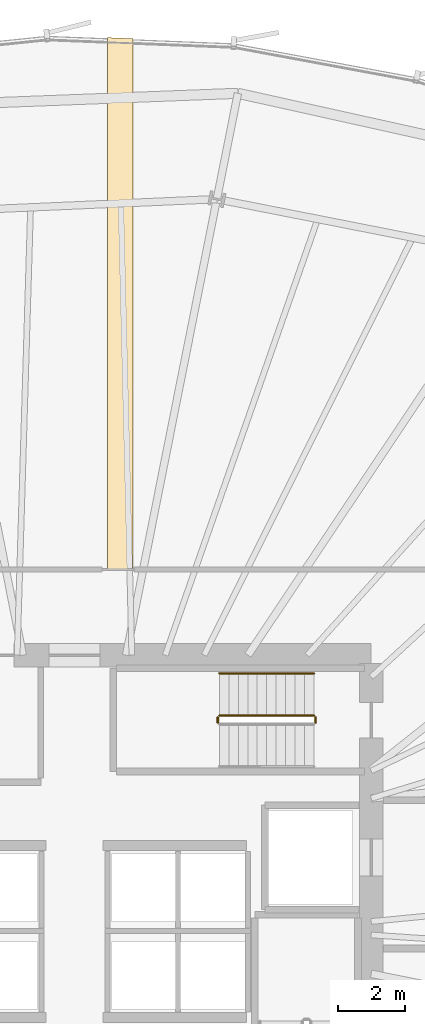
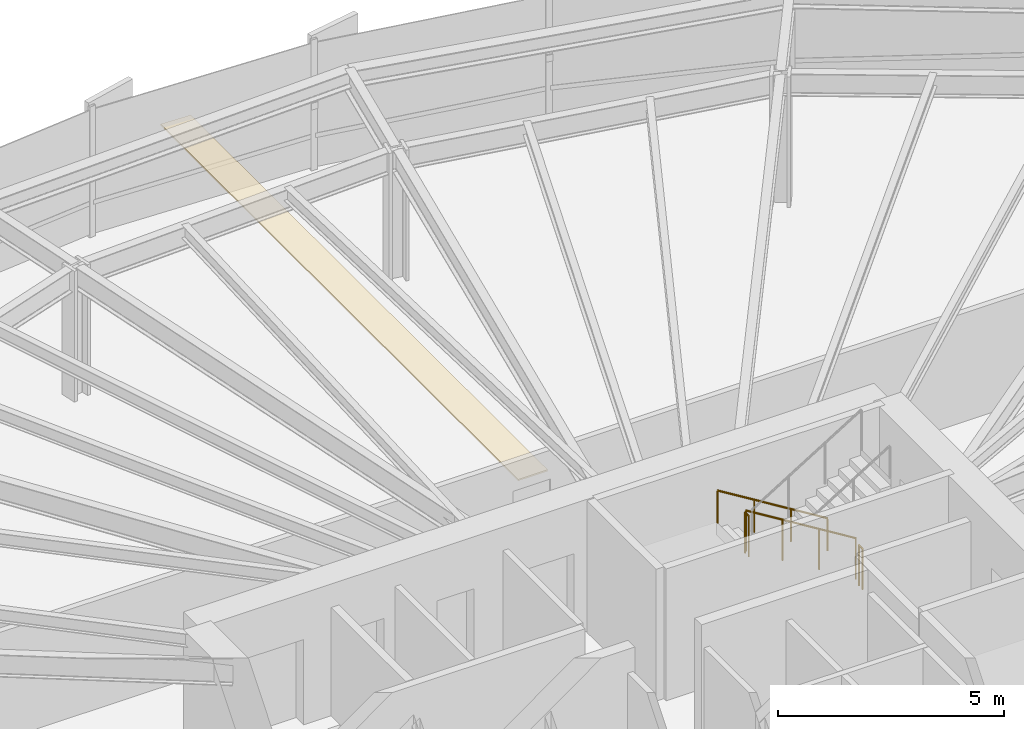
# One storey, part 41 of 42: 4 railings, 1 covering.
"""IFC4 building model written with IfcOpenShell, lengths in metres."""

from ifc_helpers import new_model, si_unit, direction, frame, origin, origin_2d, place, context, subcontext, project, spatial, polyline, circle, outline, extrude, material, layer, layer_set, type_object, element, save


model = new_model("IFC4")

# Units and contexts
model_context = context("Model", 3, precision=1e-05, world=origin(), true_north=direction((0.0, 1.0)))
body_context = subcontext(model_context, "Body", "Model", "MODEL_VIEW")
ifc_project = project(units=[si_unit("LENGTHUNIT", "METRE"), si_unit("AREAUNIT", "SQUARE_METRE"), si_unit("VOLUMEUNIT", "CUBIC_METRE"), si_unit("PLANEANGLEUNIT", "RADIAN"), si_unit("MASSUNIT", "GRAM", prefix="KILO"), si_unit("THERMODYNAMICTEMPERATUREUNIT", "KELVIN")], contexts=[model_context])

# Site, building, storey
site_placement = place(None, origin())
site = spatial("IfcSite", under=ifc_project, at=site_placement, CompositionType="ELEMENT")
building_placement = place(site_placement, origin())
building = spatial("IfcBuilding", under=site, at=building_placement, Name="Kethvar Cultural Tower", CompositionType="ELEMENT")
storey_placement = place(building_placement, frame((0.0, 0.0, 37.199951171875)))
storey = spatial("IfcBuildingStorey", under=building, at=storey_placement, Name="L08", CompositionType="ELEMENT", Elevation=37.199951171875)

# Covering
ifc_material_1 = material(Name="Acoustic Mineral Fibre Ceiling")
ifc_layer = layer(ifc_material_1, 0.0400390625, Name="Acoustic Mineral Fibre Ceiling")
ifc_layer_set = layer_set([ifc_layer], Name="Acoustic Mineral Fibre Ceiling (40 mm)")
covering_type = type_object("IfcCoveringType", Name="CV-ACOUSTIC-CEIL", PredefinedType="CEILING", material=ifc_layer_set)
covering_placement = place(storey_placement, frame((0.0, 0.0, 2.340087890625)))
element("IfcCovering", 1, at=covering_placement, inside=storey, type_object=covering_type, Name="L08 Room 03 Acoustic Ceiling Panel", PredefinedType="CEILING", context=body_context, shape_type="SweptSolid", body=[
    extrude(outline(polyline([(48.533447265625, 53.787353515625), (48.533447265625, 38.02001953125), (47.783447265625, 38.02001953125), (47.783447265625, 53.8173828125), (48.533447265625, 53.787353515625)])), origin(), (0.0, 0.0, 1.0), 0.0400390625),
])

# Railings
ifc_material_2 = material(Name="Steel S355J2", Category="steel")
railing_type_1 = type_object("IfcRailingType", Name="RL-STAIR-GUARD", PredefinedType="BALUSTRADE", material=ifc_material_2)
railing_1_placement = place(storey_placement, frame((53.89990234375, 33.7099609375, 0.1728515625)))
element("IfcRailing", 2, at=railing_1_placement, inside=storey, type_object=railing_type_1, Name="L08 ST-03 stair guard 1", PredefinedType="BALUSTRADE", context=body_context, shape_type="SweptSolid", body=[
    extrude(circle(Radius=0.02392578125, at=origin_2d()), frame((0.0, 0.0, 1.09619140625), z_axis=(-0.851069175582, 0.0, 0.525053576669), x_axis=(0.0, -1.0, 0.0)), (0.0, 0.0, 1.0), 3.289794921875),
    extrude(circle(Radius=0.02099609375, at=origin_2d()), origin(), (0.0, 0.0, 1.0), 1.072021484375),
    extrude(circle(Radius=0.02099609375, at=origin_2d()), frame((-0.933349609375, 0.0, 0.57568359375)), (0.0, 0.0, 1.0), 1.072021484375),
    extrude(circle(Radius=0.02099609375, at=origin_2d()), frame((-1.866455078125, 0.0, 1.151611328125)), (0.0, 0.0, 1.0), 1.072021484375),
    extrude(circle(Radius=0.02099609375, at=origin_2d()), frame((-2.7998046875, 0.0, 1.727294921875)), (0.0, 0.0, 1.0), 1.072021484375),
])
for number, where, name in (
    (3, (51.050048828125, 33.659912109375, 1.900146484375), "L08 ST-03 stair guard 2"),
    (4, (53.949951171875, 33.659912109375, 0.0), "L08 ST-03 stair guard 4"),
):
    element("IfcRailing", number, at=place(storey_placement, frame(where)), inside=storey, type_object=railing_type_1, Name=name, PredefinedType="BALUSTRADE", context=body_context, shape_type="SweptSolid", body=[
        extrude(circle(Radius=0.02392578125, at=origin_2d()), frame((0.0, 0.0, 1.09619140625), z_axis=(0.0, -1.0, 0.0), x_axis=(1.0, 0.0, 0.0)), (0.0, 0.0, 1.0), 0.159912109375),
        extrude(circle(Radius=0.02099609375, at=origin_2d()), origin(), (0.0, 0.0, 1.0), 1.072021484375),
        extrude(circle(Radius=0.02099609375, at=origin_2d()), frame((0.0, -0.159912109375, 0.0)), (0.0, 0.0, 1.0), 1.072021484375),
    ])
railing_type_2 = type_object("IfcRailingType", Name="RL-STAIR-HANDRAIL", PredefinedType="HANDRAIL", material=ifc_material_2)
railing_2_placement = place(storey_placement, frame((53.89990234375, 34.9599609375, 0.1728515625)))
element("IfcRailing", 5, at=railing_2_placement, inside=storey, type_object=railing_type_2, Name="L08 ST-03 stair handrail 1", PredefinedType="HANDRAIL", context=body_context, shape_type="SweptSolid", body=[
    extrude(circle(Radius=0.02392578125, at=origin_2d()), frame((0.0, 0.0, 0.8759765625), z_axis=(-0.851069175582, 0.0, 0.525053576669), x_axis=(0.0, -1.0, 0.0)), (0.0, 0.0, 1.0), 3.289794921875),
    extrude(circle(Radius=0.02099609375, at=origin_2d()), origin(), (0.0, 0.0, 1.0), 0.851806640625),
    extrude(circle(Radius=0.02099609375, at=origin_2d()), frame((-0.933349609375, 0.0, 0.57568359375)), (0.0, 0.0, 1.0), 0.851806640625),
    extrude(circle(Radius=0.02099609375, at=origin_2d()), frame((-1.866455078125, 0.0, 1.151611328125)), (0.0, 0.0, 1.0), 0.851806640625),
    extrude(circle(Radius=0.02099609375, at=origin_2d()), frame((-2.7998046875, 0.0, 1.727294921875)), (0.0, 0.0, 1.0), 0.851806640625),
])

save(model, "model.ifc")
